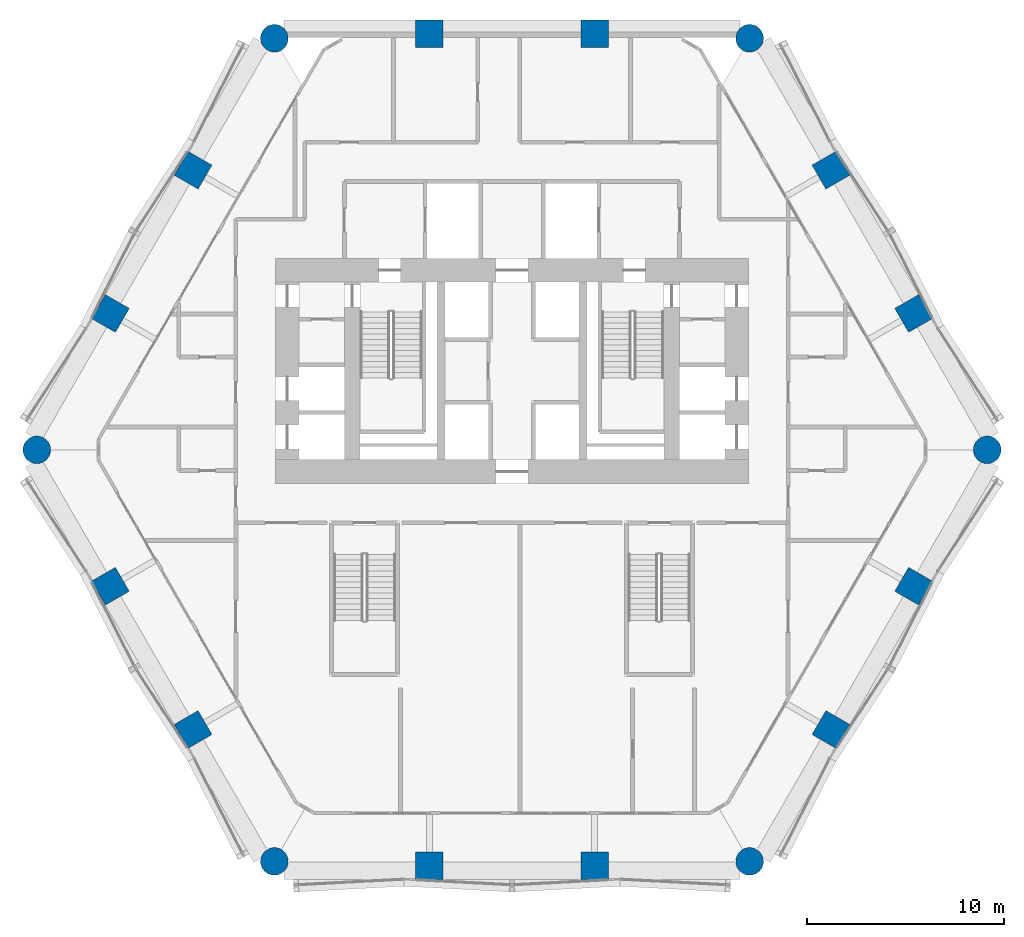
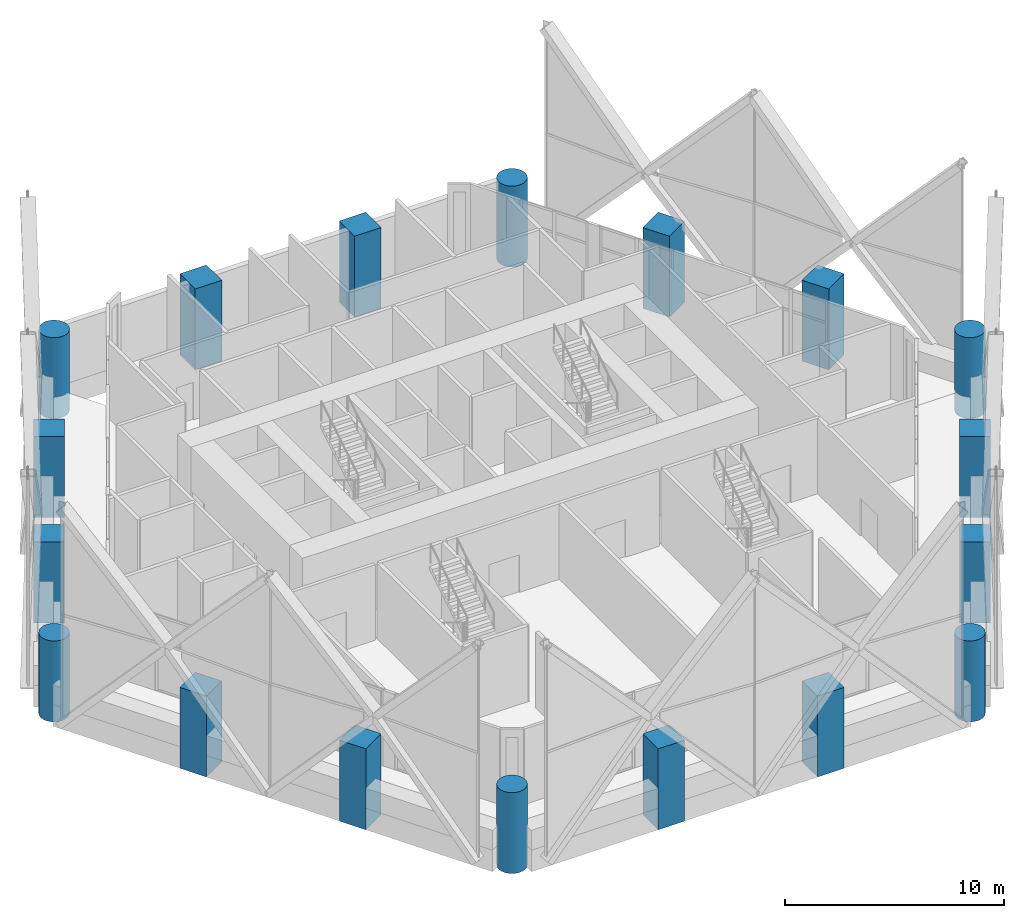
# One storey, part 1 of 46: 18 columns.
"""IFC4 building model written with IfcOpenShell, lengths in metres."""

from ifc_helpers import new_model, si_unit, direction, frame, origin, origin_2d, place, context, subcontext, project, spatial, rectangle, circle, extrude, material, material_profile, profile_set, type_object, element, save


model = new_model("IFC4")

# Units and contexts
model_context = context("Model", 3, precision=1e-05, world=origin(), true_north=direction((0.0, 1.0)))
body_context = subcontext(model_context, "Body", "Model", "MODEL_VIEW")
ifc_project = project(units=[si_unit("LENGTHUNIT", "METRE"), si_unit("AREAUNIT", "SQUARE_METRE"), si_unit("VOLUMEUNIT", "CUBIC_METRE"), si_unit("PLANEANGLEUNIT", "RADIAN"), si_unit("MASSUNIT", "GRAM", prefix="KILO")], contexts=[model_context])

# Site, building, storey
site_placement = place(None, origin())
site = spatial("IfcSite", under=ifc_project, at=site_placement, CompositionType="ELEMENT")
building_placement = place(site_placement, origin())
building = spatial("IfcBuilding", under=site, at=building_placement, Name="Ostrander Bayou Hotel Tower", CompositionType="ELEMENT")
storey_placement = place(building_placement, frame((0.0, 0.0, 23.5)))
storey = spatial("IfcBuildingStorey", under=building, at=storey_placement, Name="L05", CompositionType="ELEMENT", Elevation=23.5)

# Columns
ifc_material_1 = material(Name="Concrete f'c 70 MPa", Category="concrete")
ifc_material_profile_1 = material_profile(ifc_material_1, circle(Radius=0.699951171875, at=origin_2d()))
ifc_profile_set_1 = profile_set([ifc_material_profile_1], Name="Concrete f'c 70 MPa")
column_type_1 = type_object("IfcColumnType", Name="C1 round column 1400 mm f'c 70 MPa", PredefinedType="COLUMN", material=ifc_profile_set_1)
for number, where, z_axis, x_axis, name in (
    (1, (-12.050537109375, 20.872314453125, -1.199951171875), (0.0, 0.0, 1.0), (1.0, 0.0, 0.0), "C1 L05 K0"),
    (2, (-24.101318359375, 0.0, -1.199951171875), (0.0, 0.0, 1.0), (1.0, 0.0, 0.0), "C1 L05 K1"),
    (3, (-12.050537109375, -20.872314453125, -1.199951171875), (0.0, 0.0, 1.0), (1.0, 0.0, 0.0), "C1 L05 K2"),
    (4, (12.050537109375, -20.872314453125, -1.199951171875), (0.0, 0.0, 1.0), (1.0, 0.0, 0.0), "C1 L05 K3"),
    (5, (24.101318359375, 0.0, -1.199951171875), (0.0, 0.0, 1.0), (1.0, 0.0, 0.0), "C1 L05 K4"),
    (6, (12.050537109375, 20.872314453125, -1.199951171875), (0.0, 0.0, 1.0), (1.0, 0.0, 0.0), "C1 L05 K5"),
):
    element("IfcColumn", number, at=place(storey_placement, frame(where, z_axis=z_axis, x_axis=x_axis)), inside=storey, type_object=column_type_1, Name=name, PredefinedType="COLUMN", context=body_context, shape_type="SweptSolid", body=[
        extrude(circle(Radius=0.699951171875, at=origin_2d()), origin(), (0.0, 0.0, 1.0), 4.5),
    ])
ifc_material_2 = material(Name="Concrete f'c 70 MPa", Category="concrete")
ifc_material_profile_2 = material_profile(ifc_material_2, rectangle(XDim=1.39990234375, YDim=1.39990234375, at=origin_2d()))
ifc_profile_set_2 = profile_set([ifc_material_profile_2], Name="Concrete f'c 70 MPa")
column_type_2 = type_object("IfcColumnType", Name="C2 square column 1400 x 1400 mm f'c 70 MPa", PredefinedType="COLUMN", material=ifc_profile_set_2)
for number, where, z_axis, x_axis, name in (
    (7, (4.1953125, 21.10009765625, -1.199951171875), (0.0, 0.0, 1.0), (1.0, 0.0, 0.0), "C2 L05 N1"),
    (8, (-4.1953125, 21.10009765625, -1.199951171875), (0.0, 0.0, 1.0), (1.0, 0.0, 0.0), "C2 L05 N2"),
    (9, (-16.17529296875, 14.183349609375, -1.199951171875), (0.0, 0.0, 1.0), (0.5, 0.866025403784, 0.0), "C2 L05 NW1"),
    (10, (-20.370849609375, 6.916748046875, -1.199951171875), (0.0, 0.0, 1.0), (0.5, 0.866025403784, 0.0), "C2 L05 NW2"),
    (11, (-20.370849609375, -6.916748046875, -1.199951171875), (0.0, 0.0, 1.0), (-0.5, 0.866025403784, 0.0), "C2 L05 SW1"),
    (12, (-16.17529296875, -14.183349609375, -1.199951171875), (0.0, 0.0, 1.0), (-0.5, 0.866025403784, 0.0), "C2 L05 SW2"),
    (13, (-4.1953125, -21.10009765625, -1.199951171875), (0.0, 0.0, 1.0), (-1.0, 0.0, 0.0), "C2 L05 S1"),
    (14, (4.1953125, -21.10009765625, -1.199951171875), (0.0, 0.0, 1.0), (-1.0, 0.0, 0.0), "C2 L05 S2"),
    (15, (16.17529296875, -14.183349609375, -1.199951171875), (0.0, 0.0, 1.0), (-0.5, -0.866025403784, 0.0), "C2 L05 SE1"),
    (16, (20.370849609375, -6.916748046875, -1.199951171875), (0.0, 0.0, 1.0), (-0.5, -0.866025403784, 0.0), "C2 L05 SE2"),
    (17, (20.370849609375, 6.916748046875, -1.199951171875), (0.0, 0.0, 1.0), (0.5, -0.866025403784, 0.0), "C2 L05 NE1"),
    (18, (16.17529296875, 14.183349609375, -1.199951171875), (0.0, 0.0, 1.0), (0.5, -0.866025403784, 0.0), "C2 L05 NE2"),
):
    element("IfcColumn", number, at=place(storey_placement, frame(where, z_axis=z_axis, x_axis=x_axis)), inside=storey, type_object=column_type_2, Name=name, PredefinedType="COLUMN", context=body_context, shape_type="SweptSolid", body=[
        extrude(rectangle(XDim=1.39990234375, YDim=1.39990234375, at=origin_2d()), origin(), (0.0, 0.0, 1.0), 4.5),
    ])

save(model, "model.ifc")
